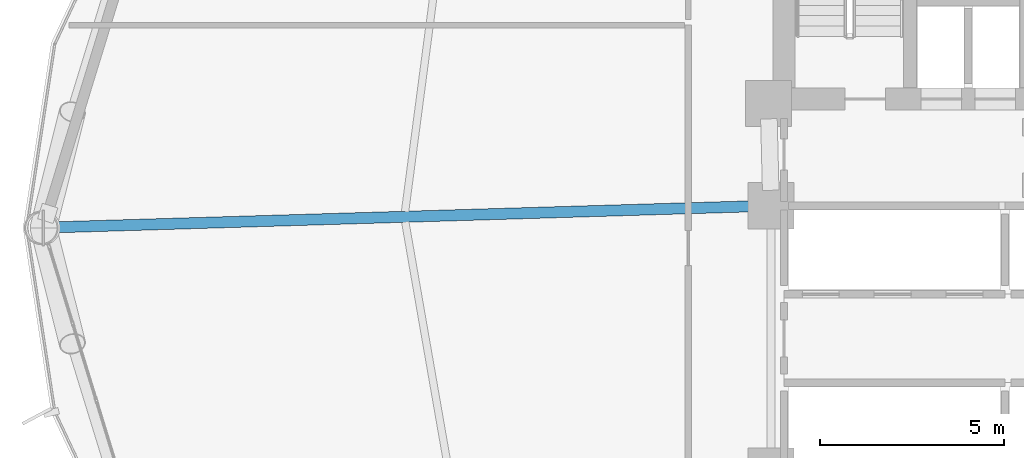
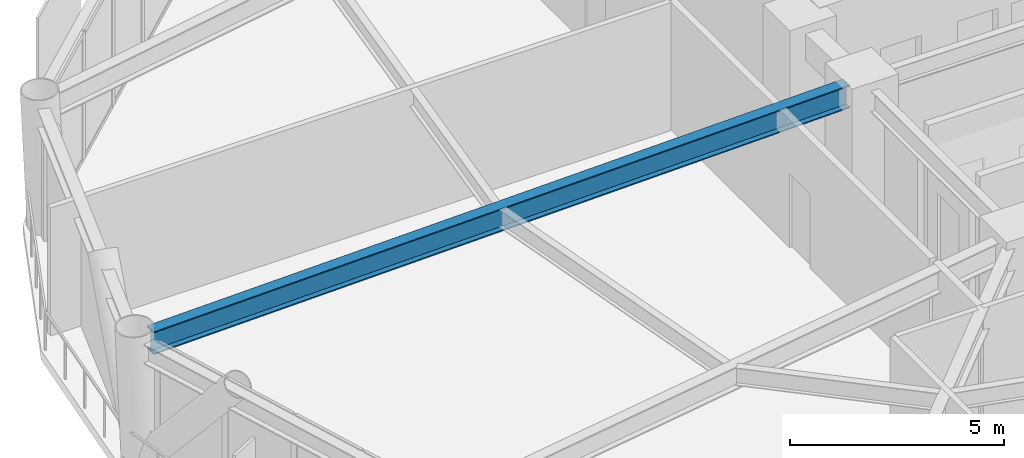
# One storey, part 11 of 25: 1 beam.
"""IFC4 building model written with IfcOpenShell, lengths in metres."""

from ifc_helpers import new_model, si_unit, direction, frame, origin, origin_2d, place, context, subcontext, project, spatial, i_section, extrude, material, material_profile, profile_set, type_object, element, save


model = new_model("IFC4")

# Units and contexts
model_context = context("Model", 3, precision=1e-05, world=origin(), true_north=direction((0.0, 1.0)))
body_context = subcontext(model_context, "Body", "Model", "MODEL_VIEW")
ifc_project = project(units=[si_unit("LENGTHUNIT", "METRE"), si_unit("AREAUNIT", "SQUARE_METRE"), si_unit("VOLUMEUNIT", "CUBIC_METRE"), si_unit("PLANEANGLEUNIT", "RADIAN"), si_unit("MASSUNIT", "GRAM", prefix="KILO")], contexts=[model_context])

# Site, building, storey
site_placement = place(None, origin())
site = spatial("IfcSite", under=ifc_project, at=site_placement, CompositionType="ELEMENT")
building_placement = place(site_placement, origin())
building = spatial("IfcBuilding", under=site, at=building_placement, Name="Varnakorn Sky Granary", CompositionType="ELEMENT")
storey_placement = place(building_placement, frame((0.0, 0.0, 39.300048828125)))
storey = spatial("IfcBuildingStorey", under=building, at=storey_placement, Name="L09", CompositionType="ELEMENT", Elevation=39.300048828125)

# Beam
ifc_material = material(Name="Steel S355JR", Category="steel")
ifc_material_profile = material_profile(ifc_material, i_section(OverallWidth=0.300048828125, OverallDepth=0.64990234375, WebThickness=0.01611328125, FlangeThickness=0.031005859375, at=origin_2d()), Name="HE 650 B")
ifc_profile_set = profile_set([ifc_material_profile], Name="Steel S355JR")
beam_type = type_object("IfcBeamType", Name="BM-RAD-Z1", PredefinedType="BEAM", material=ifc_profile_set)
beam_placement = place(storey_placement, frame((-2.769775390625, 0.58740234375, 3.31494140625), z_axis=(-0.999546983592, -0.030096969805, 0.0), x_axis=(0.030096969805, -0.999546983592, 0.0)))
element("IfcBeam", 1, at=beam_placement, inside=storey, type_object=beam_type, Name="Radial Floor Girder RG07 L09", PredefinedType="BEAM", context=body_context, shape_type="SweptSolid", body=[
    extrude(i_section(OverallWidth=0.300048828125, OverallDepth=0.64990234375, WebThickness=0.01611328125, FlangeThickness=0.031005859375, at=origin_2d()), origin(), (0.0, 0.0, 1.0), 19.078857421875),
])

save(model, "model.ifc")
